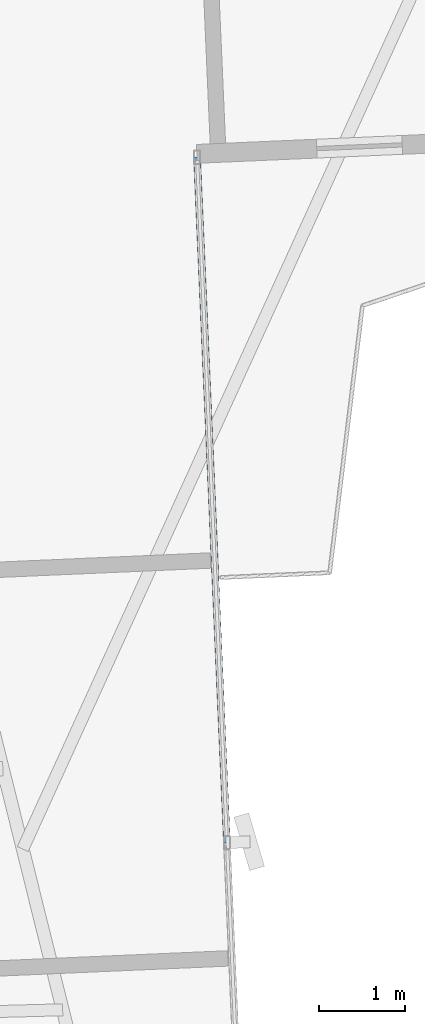
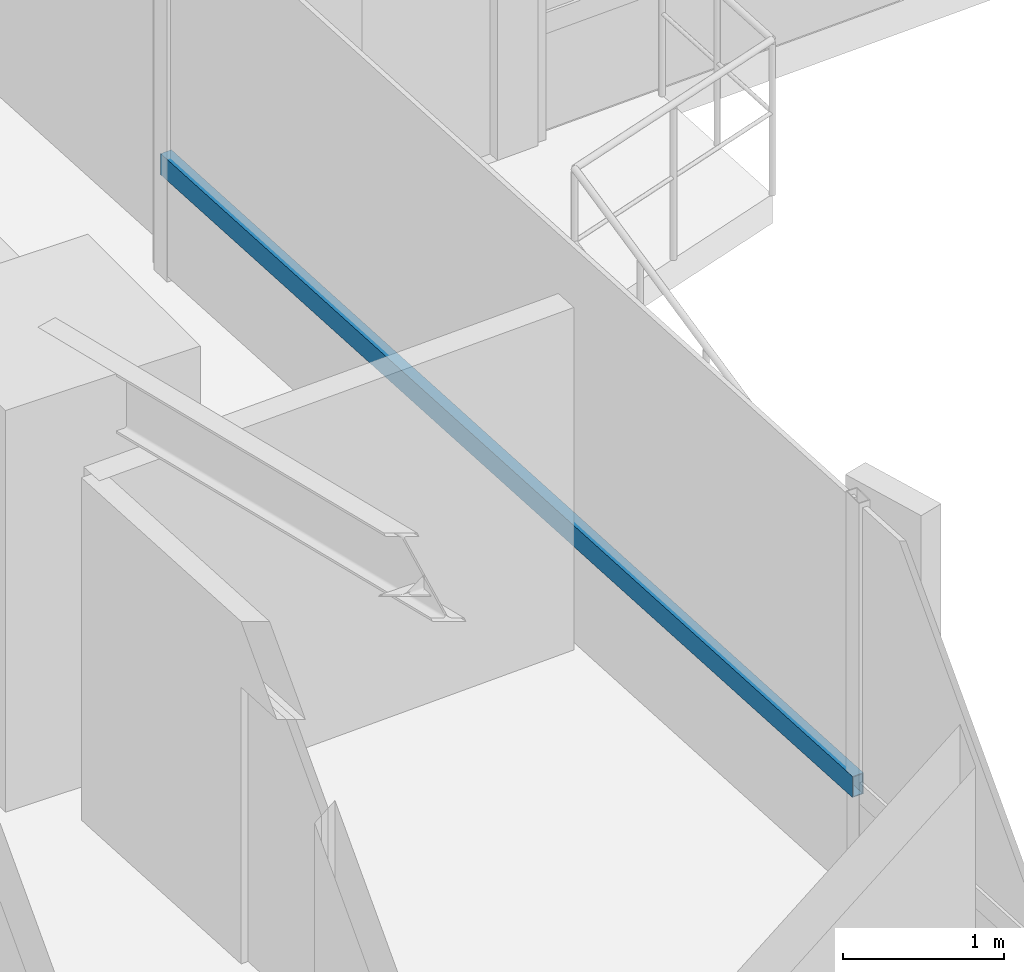
# One storey, part 7 of 27: 1 member, 1 element without a shape of its own.
"""IFC4 building model written with IfcOpenShell, lengths in metres."""

from ifc_helpers import new_model, si_unit, direction, frame, origin, origin_2d, place, context, subcontext, project, spatial, hollow_rectangle, extrude, source, transform, mapped, material, material_profile, profile_set, type_object, element, aggregate, save


model = new_model("IFC4")

# Units and contexts
model_context = context("Model", 3, precision=1e-05, world=origin(), true_north=direction((0.0, 1.0)))
body_context = subcontext(model_context, "Body", "Model", "MODEL_VIEW")
ifc_project = project(units=[si_unit("LENGTHUNIT", "METRE"), si_unit("AREAUNIT", "SQUARE_METRE"), si_unit("VOLUMEUNIT", "CUBIC_METRE"), si_unit("PLANEANGLEUNIT", "RADIAN"), si_unit("MASSUNIT", "GRAM", prefix="KILO")], contexts=[model_context])

# Site, building, storey
site_placement = place(None, origin())
site = spatial("IfcSite", under=ifc_project, at=site_placement, CompositionType="ELEMENT")
building_placement = place(site_placement, origin())
building = spatial("IfcBuilding", under=site, at=building_placement, Name="Sahyath Konkavel Grand Hotel", CompositionType="ELEMENT")
storey_placement = place(building_placement, frame((0.0, 0.0, 103.60009765625)))
storey = spatial("IfcBuildingStorey", under=building, at=storey_placement, Name="L28", CompositionType="ELEMENT", Elevation=103.60009765625)

# Curtain wall, member
ifc_material_1 = material(Name="Anodised Bronze Aluminium & Low-E Glazing", Category="aluminium")
curtain_wall_type = type_object("IfcCurtainWallType", Name="CW-ZONE2", PredefinedType="NOTDEFINED", material=ifc_material_1)
curtain_wall_placement = place(storey_placement, origin())
curtain_wall = element("IfcCurtainWall", 1, at=curtain_wall_placement, inside=storey, type_object=curtain_wall_type, Name="L28 Unitised Curtain Wall F31", PredefinedType="NOTDEFINED")
ifc_material_2 = material(Name="Anodised Bronze Aluminium", Category="aluminium")
ifc_material_profile = material_profile(ifc_material_2, hollow_rectangle(XDim=0.080078125, YDim=0.159912109375, WallThickness=0.006103515625, at=origin_2d()), Name="RHS 160x80x6")
ifc_profile_set = profile_set([ifc_material_profile], Name="Anodised Bronze Aluminium")
member_type = type_object("IfcMemberType", Name="CW-TRN-160", PredefinedType="USERDEFINED", material=ifc_profile_set)
shared_shape = source(origin(), body_context, "Body", "SweptSolid", [
    extrude(hollow_rectangle(XDim=0.080078125, YDim=0.159912109375, WallThickness=0.006103515625, at=origin_2d()), origin(), (0.0, 0.0, 1.0), 8.010009765625),
])
member_placement = place(storey_placement, frame((7.232666015625, -14.34814453125, 0.849853515625), z_axis=(-0.043615785896, 0.999048378819, 0.0), x_axis=(-0.999048378819, -0.043615785896, 0.0)))
member = element("IfcMember", 2, at=member_placement, type_object=member_type, Name="L28 Curtain Wall Transom F31-1-spandrel", ObjectType="TRANSOM", PredefinedType="USERDEFINED", context=body_context, shape_type="MappedRepresentation", body=[
    mapped(shared_shape, transform((0.0, 0.0, 0.0), scale=1.0)),
])
aggregate(curtain_wall, [member])

save(model, "model.ifc")
